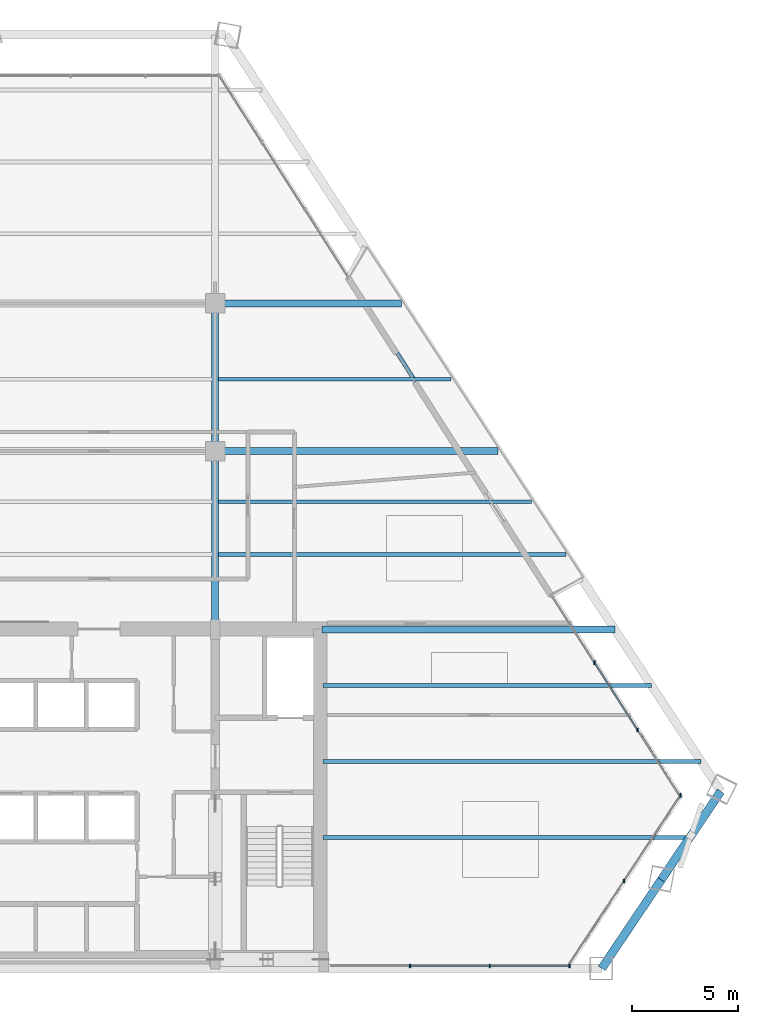
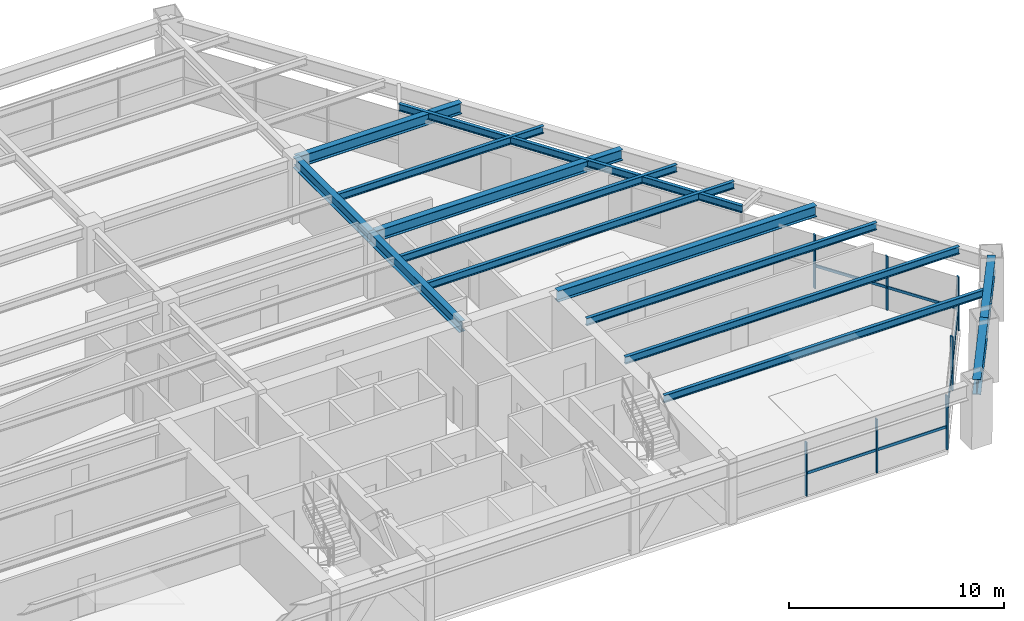
# One storey, part 6 of 14: 14 beams, 13 members, 3 elements without a shape of their own.
"""IFC4 building model written with IfcOpenShell, lengths in metres."""

from ifc_helpers import new_model, si_unit, direction, frame, origin, origin_2d, place, context, subcontext, project, spatial, rectangle, i_section, extrude, source, transform, mapped, material, material_profile, profile_set, type_object, type_shapes, element, aggregate, save


model = new_model("IFC4")

# Units and contexts
model_context = context("Model", 3, precision=1e-05, world=origin(), true_north=direction((0.0, 1.0)))
body_context = subcontext(model_context, "Body", "Model", "MODEL_VIEW")
ifc_project = project(units=[si_unit("LENGTHUNIT", "METRE"), si_unit("AREAUNIT", "SQUARE_METRE"), si_unit("VOLUMEUNIT", "CUBIC_METRE"), si_unit("PLANEANGLEUNIT", "RADIAN"), si_unit("MASSUNIT", "GRAM", prefix="KILO")], contexts=[model_context])

# Site, building, storey
site_placement = place(None, origin())
site = spatial("IfcSite", under=ifc_project, at=site_placement, CompositionType="ELEMENT")
building_placement = place(site_placement, origin())
building = spatial("IfcBuilding", under=site, at=building_placement, Name="Varnakhor Terracotta Tower", CompositionType="ELEMENT")
storey_placement = place(building_placement, frame((0.0, 0.0, 125.60009765625)))
storey = spatial("IfcBuildingStorey", under=building, at=storey_placement, Name="L31", CompositionType="ELEMENT", Elevation=125.60009765625)

# Beams
ifc_material_1 = material(Name="Steel S355", Category="steel")
ifc_material_profile_1 = material_profile(ifc_material_1, i_section(OverallWidth=0.324951171875, OverallDepth=0.615966796875, WebThickness=0.013916015625, FlangeThickness=0.02197265625, FilletRadius=0.01806640625, at=origin_2d()), Name="W24X117")
ifc_profile_set_1 = profile_set([ifc_material_profile_1], Name="Steel S355")
beam_type_1 = type_object("IfcBeamType", Name="BM-W24X117", PredefinedType="BEAM", material=ifc_profile_set_1)
shared_shape_1 = source(origin(), body_context, "Body", "SweptSolid", [
    extrude(i_section(OverallWidth=0.324951171875, OverallDepth=0.615966796875, WebThickness=0.013916015625, FlangeThickness=0.02197265625, FilletRadius=0.01806640625, at=origin_2d()), origin(), (0.0, 0.0, 1.0), 8.449951171875),
])
type_shapes(beam_type_1, [shared_shape_1])
beam_1_placement = place(storey_placement, frame((5.5, 16.050048828125, 3.161865234375), z_axis=(0.0, 1.0, 0.0), x_axis=(-1.0, 0.0, 0.0)))
element("IfcBeam", 1, at=beam_1_placement, inside=storey, type_object=beam_type_1, Name="L31 Primary Girder NS1-E", PredefinedType="BEAM", context=body_context, shape_type="MappedRepresentation", body=[
    mapped(shared_shape_1, transform((0.0, 0.0, 0.0), scale=1.0)),
])
shared_shape_2 = source(origin(), body_context, "Body", "SweptSolid", [
    extrude(i_section(OverallWidth=0.324951171875, OverallDepth=0.615966796875, WebThickness=0.013916015625, FlangeThickness=0.02197265625, FilletRadius=0.01806640625, at=origin_2d()), origin(), (0.0, 0.0, 1.0), 7.0),
])
beam_2_placement = place(storey_placement, frame((5.5, 24.5, 3.161865234375), z_axis=(0.0, 1.0, 0.0), x_axis=(-1.0, 0.0, 0.0)))
element("IfcBeam", 2, at=beam_2_placement, inside=storey, type_object=beam_type_1, Name="L31 Primary Girder NS2-E", PredefinedType="BEAM", context=body_context, shape_type="MappedRepresentation", body=[
    mapped(shared_shape_2, transform((0.0, 0.0, 0.0), scale=1.0)),
])
ifc_material_profile_2 = material_profile(ifc_material_1, i_section(OverallWidth=0.39990234375, OverallDepth=0.85498046875, WebThickness=0.01806640625, FlangeThickness=0.029052734375, FilletRadius=0.01806640625, at=origin_2d()), Name="W33X201")
ifc_profile_set_2 = profile_set([ifc_material_profile_2], Name="Steel S355")
beam_type_2 = type_object("IfcBeamType", Name="BM-W33X201", PredefinedType="BEAM", material=ifc_profile_set_2)
shared_shape_3 = source(origin(), body_context, "Body", "SweptSolid", [
    extrude(i_section(OverallWidth=0.39990234375, OverallDepth=0.85498046875, WebThickness=0.01806640625, FlangeThickness=0.029052734375, FilletRadius=0.01806640625, at=origin_2d()), origin(), (0.0, 0.0, 1.0), 5.052734375),
])
beam_3_placement = place(storey_placement, frame((23.810302734375, 0.0, 3.04248046875), z_axis=(0.55782948955, 0.829955577479, 0.0), x_axis=(-0.829955577479, 0.55782948955, 0.0)))
element("IfcBeam", 3, at=beam_3_placement, inside=storey, type_object=beam_type_2, Name="L31 Perimeter Spandrel 2", PredefinedType="BEAM", context=body_context, shape_type="MappedRepresentation", body=[
    mapped(shared_shape_3, transform((0.0, 0.0, 0.0), scale=1.0)),
])
shared_shape_4 = source(origin(), body_context, "Body", "SweptSolid", [
    extrude(i_section(OverallWidth=0.39990234375, OverallDepth=0.85498046875, WebThickness=0.01806640625, FlangeThickness=0.029052734375, FilletRadius=0.01806640625, at=origin_2d()), origin(), (0.0, 0.0, 1.0), 5.052490234375),
])
beam_4_placement = place(storey_placement, frame((26.62890625, 4.193603515625, 3.04248046875), z_axis=(0.557818576061, 0.829962912546, 0.0), x_axis=(-0.829962912546, 0.557818576061, 0.0)))
element("IfcBeam", 4, at=beam_4_placement, inside=storey, type_object=beam_type_2, Name="L31 Perimeter Spandrel 3", PredefinedType="BEAM", context=body_context, shape_type="MappedRepresentation", body=[
    mapped(shared_shape_4, transform((0.0, 0.0, 0.0), scale=1.0)),
])
ifc_material_profile_3 = material_profile(ifc_material_1, i_section(OverallWidth=0.179931640625, OverallDepth=0.39990234375, WebThickness=0.008544921875, FlangeThickness=0.013427734375, FilletRadius=0.01806640625, at=origin_2d()), Name="IPE400")
ifc_profile_set_3 = profile_set([ifc_material_profile_3], Name="Steel S355")
beam_type_3 = type_object("IfcBeamType", Name="JST-IPE400", PredefinedType="JOIST", material=ifc_profile_set_3)
shared_shape_5 = source(origin(), body_context, "Body", "SweptSolid", [
    extrude(i_section(OverallWidth=0.179931640625, OverallDepth=0.39990234375, WebThickness=0.008544921875, FlangeThickness=0.013427734375, FilletRadius=0.01806640625, at=origin_2d()), origin(), (0.0, 0.0, 1.0), 17.94482421875),
])
beam_5_placement = place(storey_placement, frame((21.45068359375, 17.668701171875, 3.27001953125), z_axis=(-0.538283265381, 0.842763980134, 0.0), x_axis=(-0.842763980134, -0.538283265381, 0.0)))
element("IfcBeam", 5, at=beam_5_placement, inside=storey, type_object=beam_type_3, Name="L31 Loggia Edge Beam 1", PredefinedType="JOIST", context=body_context, shape_type="MappedRepresentation", body=[
    mapped(shared_shape_5, transform((0.0, 0.0, 0.0), scale=1.0)),
])
shared_shape_6 = source(origin(), body_context, "Body", "SweptSolid", [
    extrude(i_section(OverallWidth=0.324951171875, OverallDepth=0.615966796875, WebThickness=0.013916015625, FlangeThickness=0.02197265625, FilletRadius=0.01806640625, at=origin_2d()), origin(), (0.0, 0.0, 1.0), 13.882568359375),
])
beam_6_placement = place(storey_placement, frame((10.550048828125, 16.050048828125, 3.161865234375), z_axis=(1.0, 0.0, 0.0), x_axis=(0.0, 1.0, 0.0)))
element("IfcBeam", 6, at=beam_6_placement, inside=storey, type_object=beam_type_1, Name="L31 Wing Girder E", PredefinedType="BEAM", context=body_context, shape_type="MappedRepresentation", body=[
    mapped(shared_shape_6, transform((0.0, 0.0, 0.0), scale=1.0)),
])
shared_shape_7 = source(origin(), body_context, "Body", "SweptSolid", [
    extrude(i_section(OverallWidth=0.324951171875, OverallDepth=0.615966796875, WebThickness=0.013916015625, FlangeThickness=0.02197265625, FilletRadius=0.01806640625, at=origin_2d()), origin(), (0.0, 0.0, 1.0), 13.40283203125),
])
beam_7_placement = place(storey_placement, frame((5.5, 24.5, 3.161865234375), z_axis=(1.0, 0.0, 0.0), x_axis=(0.0, 1.0, 0.0)))
element("IfcBeam", 7, at=beam_7_placement, inside=storey, type_object=beam_type_1, Name="L31 Primary Girder EW2-3", PredefinedType="BEAM", context=body_context, shape_type="MappedRepresentation", body=[
    mapped(shared_shape_7, transform((0.0, 0.0, 0.0), scale=1.0)),
])
shared_shape_8 = source(origin(), body_context, "Body", "SweptSolid", [
    extrude(i_section(OverallWidth=0.324951171875, OverallDepth=0.615966796875, WebThickness=0.013916015625, FlangeThickness=0.02197265625, FilletRadius=0.01806640625, at=origin_2d()), origin(), (0.0, 0.0, 1.0), 8.822021484375),
])
beam_8_placement = place(storey_placement, frame((5.5, 31.5, 3.161865234375), z_axis=(1.0, 0.0, 0.0), x_axis=(0.0, 1.0, 0.0)))
element("IfcBeam", 8, at=beam_8_placement, inside=storey, type_object=beam_type_1, Name="L31 Primary Girder EW3-3", PredefinedType="BEAM", context=body_context, shape_type="MappedRepresentation", body=[
    mapped(shared_shape_8, transform((0.0, 0.0, 0.0), scale=1.0)),
])
ifc_material_profile_4 = material_profile(ifc_material_1, i_section(OverallWidth=0.179931640625, OverallDepth=0.4130859375, WebThickness=0.009765625, FlangeThickness=0.01611328125, FilletRadius=0.01806640625, at=origin_2d()), Name="W16X50")
ifc_profile_set_4 = profile_set([ifc_material_profile_4], Name="Steel S355")
beam_type_4 = type_object("IfcBeamType", Name="JST-W16X50", PredefinedType="JOIST", material=ifc_profile_set_4)
shared_shape_9 = source(origin(), body_context, "Body", "SweptSolid", [
    extrude(i_section(OverallWidth=0.179931640625, OverallDepth=0.4130859375, WebThickness=0.009765625, FlangeThickness=0.01611328125, FilletRadius=0.01806640625, at=origin_2d()), origin(), (0.0, 0.0, 1.0), 17.377197265625),
])
beam_9_placement = place(storey_placement, frame((10.60009765625, 6.199951171875, 3.263427734375), z_axis=(1.0, 0.0, 0.0), x_axis=(0.0, 1.0, 0.0)))
element("IfcBeam", 9, at=beam_9_placement, inside=storey, type_object=beam_type_4, Name="L31 Floor Joist E1", PredefinedType="JOIST", context=body_context, shape_type="MappedRepresentation", body=[
    mapped(shared_shape_9, transform((0.0, 0.0, 0.0), scale=1.0)),
])
shared_shape_10 = source(origin(), body_context, "Body", "SweptSolid", [
    extrude(i_section(OverallWidth=0.179931640625, OverallDepth=0.4130859375, WebThickness=0.009765625, FlangeThickness=0.01611328125, FilletRadius=0.01806640625, at=origin_2d()), origin(), (0.0, 0.0, 1.0), 17.922607421875),
])
beam_10_placement = place(storey_placement, frame((10.60009765625, 9.800048828125, 3.263427734375), z_axis=(1.0, 0.0, 0.0), x_axis=(0.0, 1.0, 0.0)))
element("IfcBeam", 10, at=beam_10_placement, inside=storey, type_object=beam_type_4, Name="L31 Floor Joist E2", PredefinedType="JOIST", context=body_context, shape_type="MappedRepresentation", body=[
    mapped(shared_shape_10, transform((0.0, 0.0, 0.0), scale=1.0)),
])
shared_shape_11 = source(origin(), body_context, "Body", "SweptSolid", [
    extrude(i_section(OverallWidth=0.179931640625, OverallDepth=0.4130859375, WebThickness=0.009765625, FlangeThickness=0.01611328125, FilletRadius=0.01806640625, at=origin_2d()), origin(), (0.0, 0.0, 1.0), 15.566650390625),
])
beam_11_placement = place(storey_placement, frame((10.60009765625, 13.39990234375, 3.263427734375), z_axis=(1.0, 0.0, 0.0), x_axis=(0.0, 1.0, 0.0)))
element("IfcBeam", 11, at=beam_11_placement, inside=storey, type_object=beam_type_4, Name="L31 Floor Joist E3", PredefinedType="JOIST", context=body_context, shape_type="MappedRepresentation", body=[
    mapped(shared_shape_11, transform((0.0, 0.0, 0.0), scale=1.0)),
])
shared_shape_12 = source(origin(), body_context, "Body", "SweptSolid", [
    extrude(i_section(OverallWidth=0.179931640625, OverallDepth=0.4130859375, WebThickness=0.009765625, FlangeThickness=0.01611328125, FilletRadius=0.01806640625, at=origin_2d()), origin(), (0.0, 0.0, 1.0), 16.451171875),
])
beam_12_placement = place(storey_placement, frame((5.658447265625, 19.60009765625, 3.263427734375), z_axis=(1.0, 0.0, 0.0), x_axis=(0.0, 1.0, 0.0)))
element("IfcBeam", 12, at=beam_12_placement, inside=storey, type_object=beam_type_4, Name="L31 Composite Floor Joist 4-3", PredefinedType="JOIST", context=body_context, shape_type="MappedRepresentation", body=[
    mapped(shared_shape_12, transform((0.0, 0.0, 0.0), scale=1.0)),
])
shared_shape_13 = source(origin(), body_context, "Body", "SweptSolid", [
    extrude(i_section(OverallWidth=0.179931640625, OverallDepth=0.4130859375, WebThickness=0.009765625, FlangeThickness=0.01611328125, FilletRadius=0.01806640625, at=origin_2d()), origin(), (0.0, 0.0, 1.0), 14.81494140625),
])
beam_13_placement = place(storey_placement, frame((5.658447265625, 22.10009765625, 3.263427734375), z_axis=(1.0, 0.0, 0.0), x_axis=(0.0, 1.0, 0.0)))
element("IfcBeam", 13, at=beam_13_placement, inside=storey, type_object=beam_type_4, Name="L31 Composite Floor Joist 5-3", PredefinedType="JOIST", context=body_context, shape_type="MappedRepresentation", body=[
    mapped(shared_shape_13, transform((0.0, 0.0, 0.0), scale=1.0)),
])
shared_shape_14 = source(origin(), body_context, "Body", "SweptSolid", [
    extrude(i_section(OverallWidth=0.179931640625, OverallDepth=0.4130859375, WebThickness=0.009765625, FlangeThickness=0.01611328125, FilletRadius=0.01806640625, at=origin_2d()), origin(), (0.0, 0.0, 1.0), 11.01953125),
])
beam_14_placement = place(storey_placement, frame((5.658447265625, 27.89990234375, 3.263427734375), z_axis=(1.0, 0.0, 0.0), x_axis=(0.0, 1.0, 0.0)))
element("IfcBeam", 14, at=beam_14_placement, inside=storey, type_object=beam_type_4, Name="L31 Composite Floor Joist 6-3", PredefinedType="JOIST", context=body_context, shape_type="MappedRepresentation", body=[
    mapped(shared_shape_14, transform((0.0, 0.0, 0.0), scale=1.0)),
])

# Curtain wall, members
ifc_material_2 = material(Name="Anodised Aluminium Curtain Wall System", Category="aluminium")
curtain_wall_type = type_object("IfcCurtainWallType", Name="CW-SYS-MID-OFFICE", PredefinedType="NOTDEFINED", material=ifc_material_2)
curtain_wall_1_placement = place(storey_placement, origin())
curtain_wall_1 = element("IfcCurtainWall", 15, at=curtain_wall_1_placement, inside=storey, type_object=curtain_wall_type, Name="L31 E Facet Curtain Wall 2", PredefinedType="NOTDEFINED")
ifc_material_3 = material(Name="Anodised Aluminium 6063-T6", Category="aluminium")
ifc_material_profile_5 = material_profile(ifc_material_3, rectangle(XDim=0.070068359375, YDim=0.175048828125, at=origin_2d()), Name="ALU MULLION 70x175")
ifc_profile_set_5 = profile_set([ifc_material_profile_5], Name="Anodised Aluminium 6063-T6")
member_type_1 = type_object("IfcMemberType", Name="CWM-03", PredefinedType="MULLION", material=ifc_profile_set_5)
shared_shape_15 = source(origin(), body_context, "Body", "SweptSolid", [
    extrude(rectangle(XDim=0.070068359375, YDim=0.175048828125, at=origin_2d()), origin(), (0.0, 0.0, 1.0), 3.0498046875),
])
type_shapes(member_type_1, [shared_shape_15])
member_1_placement = place(storey_placement, frame((23.4765625, 14.47412109375, 0.0), z_axis=(0.0, 0.0, 1.0), x_axis=(1.0, 0.0, 0.0)))
member_1 = element("IfcMember", 16, at=member_1_placement, type_object=member_type_1, Name="L31 E Facet Curtain Wall 2 Mullion 2", PredefinedType="MULLION", context=body_context, shape_type="MappedRepresentation", body=[
    mapped(shared_shape_15, transform((0.0, 0.0, 0.0), scale=1.0)),
])
member_2_placement = place(storey_placement, frame((25.509033203125, 11.294921875, 0.0), z_axis=(0.0, 0.0, 1.0), x_axis=(1.0, 0.0, 0.0)))
member_2 = element("IfcMember", 17, at=member_2_placement, type_object=member_type_1, Name="L31 E Facet Curtain Wall 2 Mullion 3", PredefinedType="MULLION", context=body_context, shape_type="MappedRepresentation", body=[
    mapped(shared_shape_15, transform((0.0, 0.0, 0.0), scale=1.0)),
])

curtain_wall_2_placement = place(storey_placement, origin())
curtain_wall_2 = element("IfcCurtainWall", 18, at=curtain_wall_2_placement, inside=storey, type_object=curtain_wall_type, Name="L31 Facet Curtain Wall 4", PredefinedType="NOTDEFINED")
member_3_placement = place(storey_placement, frame((27.5419921875, 8.1962890625, 0.0), z_axis=(0.0, 0.0, 1.0), x_axis=(1.0, 0.0, 0.0)))
member_3 = element("IfcMember", 19, at=member_3_placement, type_object=member_type_1, Name="L31 Facet Curtain Wall 4 Mullion 1", PredefinedType="MULLION", context=body_context, shape_type="MappedRepresentation", body=[
    mapped(shared_shape_15, transform((0.0, 0.0, 0.0), scale=1.0)),
])
member_4_placement = place(storey_placement, frame((24.87060546875, 4.143798828125, 0.0), z_axis=(0.0, 0.0, 1.0), x_axis=(1.0, 0.0, 0.0)))
member_4 = element("IfcMember", 20, at=member_4_placement, type_object=member_type_1, Name="L31 Facet Curtain Wall 4 Mullion 2", PredefinedType="MULLION", context=body_context, shape_type="MappedRepresentation", body=[
    mapped(shared_shape_15, transform((0.0, 0.0, 0.0), scale=1.0)),
])

curtain_wall_3_placement = place(storey_placement, origin())
curtain_wall_3 = element("IfcCurtainWall", 21, at=curtain_wall_3_placement, inside=storey, type_object=curtain_wall_type, Name="L31 South Wing Curtain Wall SSE", PredefinedType="NOTDEFINED")
member_5_placement = place(storey_placement, frame((22.27294921875, 0.1201171875, 0.0), z_axis=(0.0, 0.0, 1.0), x_axis=(1.0, 0.0, 0.0)))
member_5 = element("IfcMember", 22, at=member_5_placement, type_object=member_type_1, Name="L31 South Wing Curtain Wall SSE Mullion 1", PredefinedType="MULLION", context=body_context, shape_type="MappedRepresentation", body=[
    mapped(shared_shape_15, transform((0.0, 0.0, 0.0), scale=1.0)),
])
member_6_placement = place(storey_placement, frame((18.50537109375, 0.1201171875, 0.0), z_axis=(0.0, 0.0, 1.0), x_axis=(1.0, 0.0, 0.0)))
member_6 = element("IfcMember", 23, at=member_6_placement, type_object=member_type_1, Name="L31 South Wing Curtain Wall SSE Mullion 2", PredefinedType="MULLION", context=body_context, shape_type="MappedRepresentation", body=[
    mapped(shared_shape_15, transform((0.0, 0.0, 0.0), scale=1.0)),
])
member_7_placement = place(storey_placement, frame((14.737548828125, 0.1201171875, 0.0), z_axis=(0.0, 0.0, 1.0), x_axis=(1.0, 0.0, 0.0)))
member_7 = element("IfcMember", 24, at=member_7_placement, type_object=member_type_1, Name="L31 South Wing Curtain Wall SSE Mullion 3", PredefinedType="MULLION", context=body_context, shape_type="MappedRepresentation", body=[
    mapped(shared_shape_15, transform((0.0, 0.0, 0.0), scale=1.0)),
])

# Member
ifc_material_profile_6 = material_profile(ifc_material_3, rectangle(XDim=0.070068359375, YDim=0.155029296875, at=origin_2d()), Name="ALU TRANSOM 70x155")
ifc_profile_set_6 = profile_set([ifc_material_profile_6], Name="Anodised Aluminium 6063-T6")
member_type_2 = type_object("IfcMemberType", Name="CWT-03", PredefinedType="USERDEFINED", material=ifc_profile_set_6)
shared_shape_16 = source(origin(), body_context, "Body", "SweptSolid", [
    extrude(rectangle(XDim=0.070068359375, YDim=0.155029296875, at=origin_2d()), origin(), (0.0, 0.0, 1.0), 3.773193359375),
])
member_8_placement = place(storey_placement, frame((25.509033203125, 11.294921875, 1.281005859375), z_axis=(0.538666219383, -0.842519260371, 0.0), x_axis=(0.842519260371, 0.538666219383, 0.0)))
member_8 = element("IfcMember", 25, at=member_8_placement, type_object=member_type_2, Name="L31 E Facet Curtain Wall 2 Transom 3", ObjectType="TRANSOM", PredefinedType="USERDEFINED", context=body_context, shape_type="MappedRepresentation", body=[
    mapped(shared_shape_16, transform((0.0, 0.0, 0.0), scale=1.0)),
])

shared_shape_17 = source(origin(), body_context, "Body", "SweptSolid", [
    extrude(rectangle(XDim=0.070068359375, YDim=0.155029296875, at=origin_2d()), origin(), (0.0, 0.0, 1.0), 3.7734375),
])
member_9_placement = place(storey_placement, frame((23.4765625, 14.47412109375, 1.281005859375), z_axis=(0.538636855314, -0.842538033621, 0.0), x_axis=(0.842538033621, 0.538636855314, 0.0)))
member_9 = element("IfcMember", 26, at=member_9_placement, type_object=member_type_2, Name="L31 E Facet Curtain Wall 2 Transom 2", ObjectType="TRANSOM", PredefinedType="USERDEFINED", context=body_context, shape_type="MappedRepresentation", body=[
    mapped(shared_shape_17, transform((0.0, 0.0, 0.0), scale=1.0)),
])

aggregate(curtain_wall_1, [member_1, member_9, member_2, member_8])

shared_shape_18 = source(origin(), body_context, "Body", "SweptSolid", [
    extrude(rectangle(XDim=0.070068359375, YDim=0.155029296875, at=origin_2d()), origin(), (0.0, 0.0, 1.0), 4.853759765625),
])
member_10_placement = place(storey_placement, frame((27.5419921875, 8.1962890625, 1.281005859375), z_axis=(-0.550374726856, -0.834917756451, 0.0), x_axis=(0.834917756451, -0.550374726856, 0.0)))
member_10 = element("IfcMember", 27, at=member_10_placement, type_object=member_type_2, Name="L31 Facet Curtain Wall 4 Transom 1", ObjectType="TRANSOM", PredefinedType="USERDEFINED", context=body_context, shape_type="MappedRepresentation", body=[
    mapped(shared_shape_18, transform((0.0, 0.0, 0.0), scale=1.0)),
])

shared_shape_19 = source(origin(), body_context, "Body", "SweptSolid", [
    extrude(rectangle(XDim=0.070068359375, YDim=0.155029296875, at=origin_2d()), origin(), (0.0, 0.0, 1.0), 4.85400390625),
])
member_11_placement = place(storey_placement, frame((24.87060546875, 4.143798828125, 1.281005859375), z_axis=(-0.55035161421, -0.834932991764, 0.0), x_axis=(0.834932991764, -0.55035161421, 0.0)))
member_11 = element("IfcMember", 28, at=member_11_placement, type_object=member_type_2, Name="L31 Facet Curtain Wall 4 Transom 2", ObjectType="TRANSOM", PredefinedType="USERDEFINED", context=body_context, shape_type="MappedRepresentation", body=[
    mapped(shared_shape_19, transform((0.0, 0.0, 0.0), scale=1.0)),
])

aggregate(curtain_wall_2, [member_3, member_10, member_4, member_11])

shared_shape_20 = source(origin(), body_context, "Body", "SweptSolid", [
    extrude(rectangle(XDim=0.070068359375, YDim=0.155029296875, at=origin_2d()), origin(), (0.0, 0.0, 1.0), 3.767578125),
])
member_12_placement = place(storey_placement, frame((22.27294921875, 0.1201171875, 1.281005859375), z_axis=(-1.0, 0.0, 0.0), x_axis=(0.0, -1.0, 0.0)))
member_12 = element("IfcMember", 29, at=member_12_placement, type_object=member_type_2, Name="L31 South Wing Curtain Wall SSE Transom 1", ObjectType="TRANSOM", PredefinedType="USERDEFINED", context=body_context, shape_type="MappedRepresentation", body=[
    mapped(shared_shape_20, transform((0.0, 0.0, 0.0), scale=1.0)),
])

shared_shape_21 = source(origin(), body_context, "Body", "SweptSolid", [
    extrude(rectangle(XDim=0.070068359375, YDim=0.155029296875, at=origin_2d()), origin(), (0.0, 0.0, 1.0), 3.767822265625),
])
member_13_placement = place(storey_placement, frame((18.50537109375, 0.1201171875, 1.281005859375), z_axis=(-1.0, 0.0, 0.0), x_axis=(0.0, -1.0, 0.0)))
member_13 = element("IfcMember", 30, at=member_13_placement, type_object=member_type_2, Name="L31 South Wing Curtain Wall SSE Transom 2", ObjectType="TRANSOM", PredefinedType="USERDEFINED", context=body_context, shape_type="MappedRepresentation", body=[
    mapped(shared_shape_21, transform((0.0, 0.0, 0.0), scale=1.0)),
])

aggregate(curtain_wall_3, [member_5, member_12, member_6, member_13, member_7])

save(model, "model.ifc")
